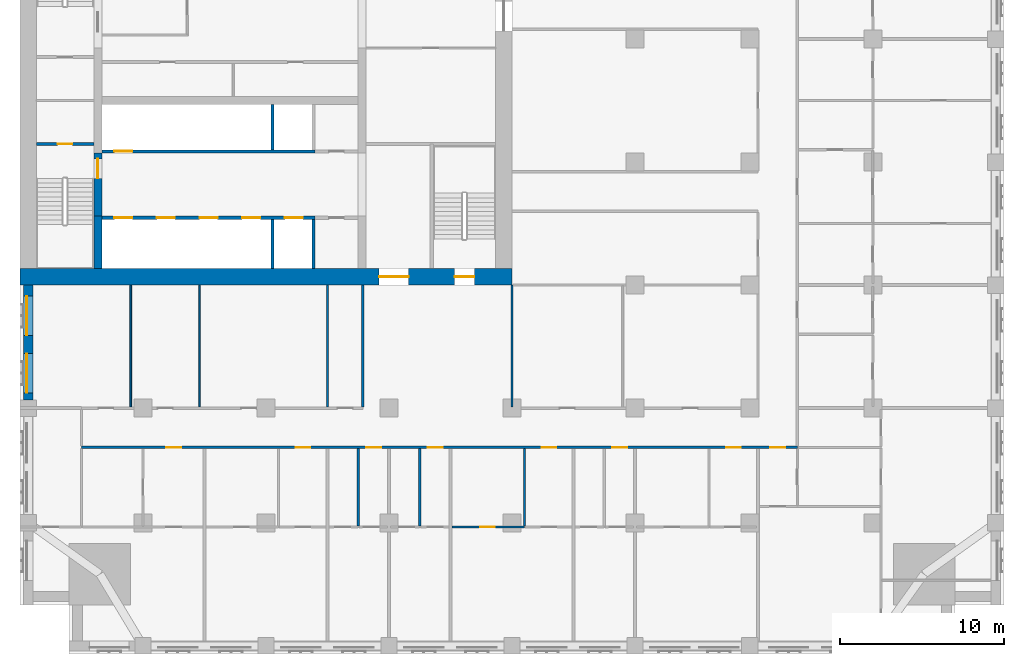
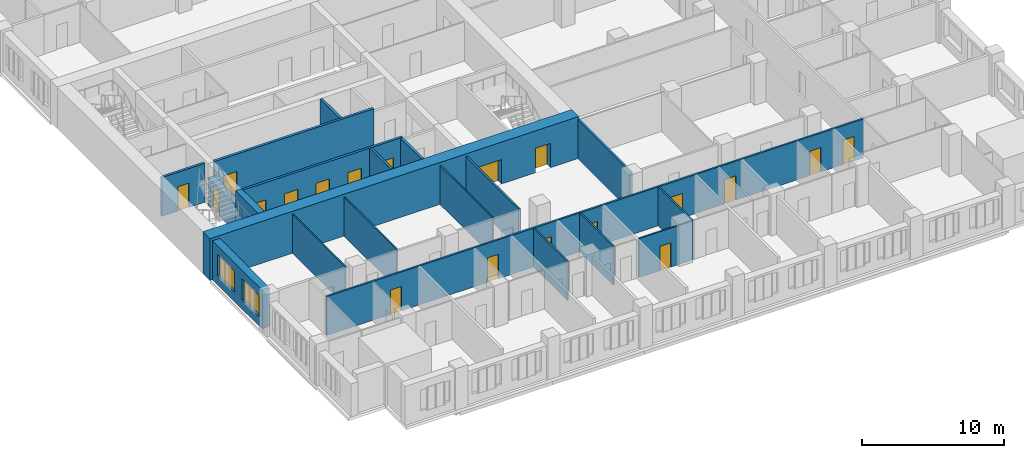
# One storey, part 5 of 14: 20 walls, 19 doors, 2 windows, 21 openings.
"""IFC4 building model written with IfcOpenShell, lengths in metres."""

from ifc_helpers import new_model, si_unit, direction, frame, frame_2d, origin, place, context, subcontext, project, spatial, rectangle, extrude, material, layer, layer_set, type_object, element, fill, save


model = new_model("IFC4")

# Units and contexts
model_context = context("Model", 3, precision=1e-05, world=origin(), true_north=direction((0.0, 1.0)))
body_context = subcontext(model_context, "Body", "Model", "MODEL_VIEW")
ifc_project = project(units=[si_unit("LENGTHUNIT", "METRE"), si_unit("AREAUNIT", "SQUARE_METRE"), si_unit("VOLUMEUNIT", "CUBIC_METRE"), si_unit("PLANEANGLEUNIT", "RADIAN"), si_unit("MASSUNIT", "GRAM", prefix="KILO")], contexts=[model_context])

# Site, building, storey
site_placement = place(None, origin())
site = spatial("IfcSite", under=ifc_project, at=site_placement, CompositionType="ELEMENT")
building_placement = place(site_placement, origin())
building = spatial("IfcBuilding", under=site, at=building_placement, Name="Tamorin Gate", CompositionType="ELEMENT")
storey_placement = place(building_placement, frame((0.0, 0.0, 89.89990234375)))
storey = spatial("IfcBuildingStorey", under=building, at=storey_placement, Name="L21", CompositionType="ELEMENT", Elevation=89.89990234375)

# Wall, openings, windows
ifc_material_1 = material(Name="Precast concrete C40/50", Category="concrete")
ifc_layer_1 = layer(ifc_material_1, 0.60009765625)
ifc_layer_set_1 = layer_set([ifc_layer_1], Name="Precast concrete C40/50")
wall_type_1 = type_object("IfcWallType", Name="Board-marked concrete facade panel 600", PredefinedType="SOLIDWALL", material=ifc_layer_set_1)
wall_1_placement = place(storey_placement, frame((30.5, 60.0, 0.0), z_axis=(0.0, 0.0, 1.0), x_axis=(0.0, -1.0, 0.0)))
wall_1 = element("IfcWall", 1, at=wall_1_placement, inside=storey, type_object=wall_type_1, Name="Facade panel", PredefinedType="SOLIDWALL", context=body_context, shape_type="SweptSolid", body=[
    extrude(rectangle(XDim=7.0, YDim=0.60009765625, at=frame_2d((3.5, 0.0))), origin(), (0.0, 0.0, 1.0), 3.35009765625),
])
opening_1_placement = place(wall_1_placement, frame((4.175048828125, 0.0, 0.800048828125)))
opening_1 = element("IfcOpeningElement", 2, at=opening_1_placement, cuts=wall_1, Name="Opening WN1", PredefinedType="OPENING", context=body_context, shape_type="SweptSolid", body=[
    extrude(rectangle(XDim=2.39990234375, YDim=1.800048828125, at=frame_2d((1.199951171875, 0.89990234375))), frame((0.0, 0.31005859375, 0.0), z_axis=(0.0, -1.0, 0.0), x_axis=(1.0, 0.0, 0.0)), (0.0, 0.0, 1.0), 0.6201171875),
])
opening_2_placement = place(wall_1_placement, frame((0.675048828125, 0.0, 0.800048828125)))
opening_2 = element("IfcOpeningElement", 3, at=opening_2_placement, cuts=wall_1, Name="Opening WN1", PredefinedType="OPENING", context=body_context, shape_type="SweptSolid", body=[
    extrude(rectangle(XDim=2.39990234375, YDim=1.800048828125, at=frame_2d((1.199951171875, 0.89990234375))), frame((0.0, 0.31005859375, 0.0), z_axis=(0.0, -1.0, 0.0), x_axis=(1.0, 0.0, 0.0)), (0.0, 0.0, 1.0), 0.6201171875),
])
ifc_material_2 = material(Name="Clear glass in aluminium frame", Category="aluminium")
window_type = type_object("IfcWindowType", Name="Deep-set window 2400x1800", PartitioningType="SINGLE_PANEL", PredefinedType="WINDOW", material=ifc_material_2)
window_1_placement = place(opening_1_placement, origin())
window_1 = element("IfcWindow", 4, at=window_1_placement, inside=storey, type_object=window_type, Name="Deep-set window", OverallHeight=1.800048828125, OverallWidth=2.39990234375, PartitioningType="SINGLE_PANEL", PredefinedType="WINDOW", context=body_context, shape_type="SweptSolid", body=[
    extrude(rectangle(XDim=2.39990234375, YDim=1.800048828125, at=frame_2d((1.199951171875, 0.89990234375))), frame((0.0, -0.070068359375, 0.0), z_axis=(0.0, -1.0, 0.0), x_axis=(1.0, 0.0, 0.0)), (0.0, 0.0, 1.0), 0.06005859375),
])
fill(opening_1, window_1)
window_2_placement = place(opening_2_placement, origin())
window_2 = element("IfcWindow", 5, at=window_2_placement, inside=storey, type_object=window_type, Name="Deep-set window", OverallHeight=1.800048828125, OverallWidth=2.39990234375, PartitioningType="SINGLE_PANEL", PredefinedType="WINDOW", context=body_context, shape_type="SweptSolid", body=[
    extrude(rectangle(XDim=2.39990234375, YDim=1.800048828125, at=frame_2d((1.199951171875, 0.89990234375))), frame((0.0, -0.070068359375, 0.0), z_axis=(0.0, -1.0, 0.0), x_axis=(1.0, 0.0, 0.0)), (0.0, 0.0, 1.0), 0.06005859375),
])
fill(opening_2, window_2)

# Wall, openings, doors
ifc_material_3 = material(Name="Gypsum board partition")
ifc_layer_2 = layer(ifc_material_3, 0.14990234375)
ifc_layer_set_2 = layer_set([ifc_layer_2], Name="Corridor wall 150")
wall_type_2 = type_object("IfcWallType", Name="Corridor wall 150", PredefinedType="PARTITIONING", material=ifc_layer_set_2)
wall_2_placement = place(storey_placement, frame((33.75, 50.10009765625, 0.0), z_axis=(0.0, 0.0, 1.0), x_axis=(1.0, 0.0, 0.0)))
wall_2 = element("IfcWall", 6, at=wall_2_placement, inside=storey, type_object=wall_type_2, Name="Corridor wall 150", PredefinedType="PARTITIONING", context=body_context, shape_type="SweptSolid", body=[
    extrude(rectangle(XDim=43.64990234375, YDim=0.14990234375, at=frame_2d((21.824951171875, 0.0))), origin(), (0.0, 0.0, 1.0), 3.35009765625),
])
opening_3_placement = place(wall_2_placement, frame((5.175048828125, 0.0, 0.0)))
opening_3 = element("IfcOpeningElement", 7, at=opening_3_placement, cuts=wall_2, Name="Opening DH8003", PredefinedType="OPENING", context=body_context, shape_type="SweptSolid", body=[
    extrude(rectangle(XDim=0.89990234375, YDim=2.10009765625, at=frame_2d((0.449951171875, 1.050048828125))), frame((0.0, 0.0849609375, 0.0), z_axis=(0.0, -1.0, 0.0), x_axis=(1.0, 0.0, 0.0)), (0.0, 0.0, 1.0), 0.169921875),
])
opening_4_placement = place(wall_2_placement, frame((13.050048828125, 0.0, 0.0)))
opening_4 = element("IfcOpeningElement", 8, at=opening_4_placement, cuts=wall_2, Name="Opening DH8006", PredefinedType="OPENING", context=body_context, shape_type="SweptSolid", body=[
    extrude(rectangle(XDim=0.89990234375, YDim=2.10009765625, at=frame_2d((0.449951171875, 1.050048828125))), frame((0.0, 0.0849609375, 0.0), z_axis=(0.0, -1.0, 0.0), x_axis=(1.0, 0.0, 0.0)), (0.0, 0.0, 1.0), 0.169921875),
])
opening_5_placement = place(wall_2_placement, frame((17.362548828125, 0.0, 0.0)))
opening_5 = element("IfcOpeningElement", 9, at=opening_5_placement, cuts=wall_2, Name="Opening DH8009", PredefinedType="OPENING", context=body_context, shape_type="SweptSolid", body=[
    extrude(rectangle(XDim=0.89990234375, YDim=2.10009765625, at=frame_2d((0.449951171875, 1.050048828125))), frame((0.0, 0.0849609375, 0.0), z_axis=(0.0, -1.0, 0.0), x_axis=(1.0, 0.0, 0.0)), (0.0, 0.0, 1.0), 0.169921875),
])
opening_6_placement = place(wall_2_placement, frame((21.112548828125, 0.0, 0.0)))
opening_6 = element("IfcOpeningElement", 10, at=opening_6_placement, cuts=wall_2, Name="Opening DH8012", PredefinedType="OPENING", context=body_context, shape_type="SweptSolid", body=[
    extrude(rectangle(XDim=0.89990234375, YDim=2.10009765625, at=frame_2d((0.449951171875, 1.050048828125))), frame((0.0, 0.0849609375, 0.0), z_axis=(0.0, -1.0, 0.0), x_axis=(1.0, 0.0, 0.0)), (0.0, 0.0, 1.0), 0.169921875),
])
opening_7_placement = place(wall_2_placement, frame((28.050048828125, 0.0, 0.0)))
opening_7 = element("IfcOpeningElement", 11, at=opening_7_placement, cuts=wall_2, Name="Opening DH8015", PredefinedType="OPENING", context=body_context, shape_type="SweptSolid", body=[
    extrude(rectangle(XDim=0.89990234375, YDim=2.10009765625, at=frame_2d((0.449951171875, 1.050048828125))), frame((0.0, 0.0849609375, 0.0), z_axis=(0.0, -1.0, 0.0), x_axis=(1.0, 0.0, 0.0)), (0.0, 0.0, 1.0), 0.169921875),
])
opening_8_placement = place(wall_2_placement, frame((32.362548828125, 0.0, 0.0)))
opening_8 = element("IfcOpeningElement", 12, at=opening_8_placement, cuts=wall_2, Name="Opening DH8018", PredefinedType="OPENING", context=body_context, shape_type="SweptSolid", body=[
    extrude(rectangle(XDim=0.89990234375, YDim=2.10009765625, at=frame_2d((0.449951171875, 1.050048828125))), frame((0.0, 0.0849609375, 0.0), z_axis=(0.0, -1.0, 0.0), x_axis=(1.0, 0.0, 0.0)), (0.0, 0.0, 1.0), 0.169921875),
])
opening_9_placement = place(wall_2_placement, frame((39.300048828125, 0.0, 0.0)))
opening_9 = element("IfcOpeningElement", 13, at=opening_9_placement, cuts=wall_2, Name="Opening DH8021", PredefinedType="OPENING", context=body_context, shape_type="SweptSolid", body=[
    extrude(rectangle(XDim=0.89990234375, YDim=2.10009765625, at=frame_2d((0.449951171875, 1.050048828125))), frame((0.0, 0.0849609375, 0.0), z_axis=(0.0, -1.0, 0.0), x_axis=(1.0, 0.0, 0.0)), (0.0, 0.0, 1.0), 0.169921875),
])
opening_10_placement = place(wall_2_placement, frame((42.0, 0.0, 0.0)))
opening_10 = element("IfcOpeningElement", 14, at=opening_10_placement, cuts=wall_2, Name="Opening DH8060", PredefinedType="OPENING", context=body_context, shape_type="SweptSolid", body=[
    extrude(rectangle(XDim=0.89990234375, YDim=2.10009765625, at=frame_2d((0.449951171875, 1.050048828125))), frame((0.0, 0.0849609375, 0.0), z_axis=(0.0, -1.0, 0.0), x_axis=(1.0, 0.0, 0.0)), (0.0, 0.0, 1.0), 0.169921875),
])
ifc_material_4 = material(Name="Timber door leaf", Category="wood")
door_type_1 = type_object("IfcDoorType", Name="Door 900 x 2100 FD30S", OperationType="NOTDEFINED", PredefinedType="DOOR", material=ifc_material_4)
door_1_placement = place(opening_3_placement, origin())
door_1 = element("IfcDoor", 15, at=door_1_placement, inside=storey, type_object=door_type_1, Name="Door DH8003", OperationType="SINGLE_SWING_RIGHT", OverallHeight=2.10009765625, OverallWidth=0.89990234375, PredefinedType="DOOR", context=body_context, shape_type="SweptSolid", body=[
    extrude(rectangle(XDim=0.89990234375, YDim=2.10009765625, at=frame_2d((0.449951171875, 1.050048828125))), frame((0.0, 0.02490234375, 0.0), z_axis=(0.0, -1.0, 0.0), x_axis=(1.0, 0.0, 0.0)), (0.0, 0.0, 1.0), 0.050048828125),
])
fill(opening_3, door_1)
door_2_placement = place(opening_4_placement, origin())
door_2 = element("IfcDoor", 16, at=door_2_placement, inside=storey, type_object=door_type_1, Name="Door DH8006", OperationType="SINGLE_SWING_RIGHT", OverallHeight=2.10009765625, OverallWidth=0.89990234375, PredefinedType="DOOR", context=body_context, shape_type="SweptSolid", body=[
    extrude(rectangle(XDim=0.89990234375, YDim=2.10009765625, at=frame_2d((0.449951171875, 1.050048828125))), frame((0.0, 0.02490234375, 0.0), z_axis=(0.0, -1.0, 0.0), x_axis=(1.0, 0.0, 0.0)), (0.0, 0.0, 1.0), 0.050048828125),
])
fill(opening_4, door_2)
door_3_placement = place(opening_5_placement, origin())
door_3 = element("IfcDoor", 17, at=door_3_placement, inside=storey, type_object=door_type_1, Name="Door DH8009", OperationType="SINGLE_SWING_RIGHT", OverallHeight=2.10009765625, OverallWidth=0.89990234375, PredefinedType="DOOR", context=body_context, shape_type="SweptSolid", body=[
    extrude(rectangle(XDim=0.89990234375, YDim=2.10009765625, at=frame_2d((0.449951171875, 1.050048828125))), frame((0.0, 0.02490234375, 0.0), z_axis=(0.0, -1.0, 0.0), x_axis=(1.0, 0.0, 0.0)), (0.0, 0.0, 1.0), 0.050048828125),
])
fill(opening_5, door_3)
door_4_placement = place(opening_6_placement, origin())
door_4 = element("IfcDoor", 18, at=door_4_placement, inside=storey, type_object=door_type_1, Name="Door DH8012", OperationType="SINGLE_SWING_RIGHT", OverallHeight=2.10009765625, OverallWidth=0.89990234375, PredefinedType="DOOR", context=body_context, shape_type="SweptSolid", body=[
    extrude(rectangle(XDim=0.89990234375, YDim=2.10009765625, at=frame_2d((0.449951171875, 1.050048828125))), frame((0.0, 0.02490234375, 0.0), z_axis=(0.0, -1.0, 0.0), x_axis=(1.0, 0.0, 0.0)), (0.0, 0.0, 1.0), 0.050048828125),
])
fill(opening_6, door_4)
door_5_placement = place(opening_7_placement, origin())
door_5 = element("IfcDoor", 19, at=door_5_placement, inside=storey, type_object=door_type_1, Name="Door DH8015", OperationType="SINGLE_SWING_RIGHT", OverallHeight=2.10009765625, OverallWidth=0.89990234375, PredefinedType="DOOR", context=body_context, shape_type="SweptSolid", body=[
    extrude(rectangle(XDim=0.89990234375, YDim=2.10009765625, at=frame_2d((0.449951171875, 1.050048828125))), frame((0.0, 0.02490234375, 0.0), z_axis=(0.0, -1.0, 0.0), x_axis=(1.0, 0.0, 0.0)), (0.0, 0.0, 1.0), 0.050048828125),
])
fill(opening_7, door_5)
door_6_placement = place(opening_8_placement, origin())
door_6 = element("IfcDoor", 20, at=door_6_placement, inside=storey, type_object=door_type_1, Name="Door DH8018", OperationType="SINGLE_SWING_RIGHT", OverallHeight=2.10009765625, OverallWidth=0.89990234375, PredefinedType="DOOR", context=body_context, shape_type="SweptSolid", body=[
    extrude(rectangle(XDim=0.89990234375, YDim=2.10009765625, at=frame_2d((0.449951171875, 1.050048828125))), frame((0.0, 0.02490234375, 0.0), z_axis=(0.0, -1.0, 0.0), x_axis=(1.0, 0.0, 0.0)), (0.0, 0.0, 1.0), 0.050048828125),
])
fill(opening_8, door_6)
door_7_placement = place(opening_9_placement, origin())
door_7 = element("IfcDoor", 21, at=door_7_placement, inside=storey, type_object=door_type_1, Name="Door DH8021", OperationType="SINGLE_SWING_RIGHT", OverallHeight=2.10009765625, OverallWidth=0.89990234375, PredefinedType="DOOR", context=body_context, shape_type="SweptSolid", body=[
    extrude(rectangle(XDim=0.89990234375, YDim=2.10009765625, at=frame_2d((0.449951171875, 1.050048828125))), frame((0.0, 0.02490234375, 0.0), z_axis=(0.0, -1.0, 0.0), x_axis=(1.0, 0.0, 0.0)), (0.0, 0.0, 1.0), 0.050048828125),
])
fill(opening_9, door_7)
door_8_placement = place(opening_10_placement, origin())
door_8 = element("IfcDoor", 22, at=door_8_placement, inside=storey, type_object=door_type_1, Name="Door DH8060", OperationType="SINGLE_SWING_LEFT", OverallHeight=2.10009765625, OverallWidth=0.89990234375, PredefinedType="DOOR", context=body_context, shape_type="SweptSolid", body=[
    extrude(rectangle(XDim=0.89990234375, YDim=2.10009765625, at=frame_2d((0.449951171875, 1.050048828125))), frame((0.0, 0.02490234375, 0.0), z_axis=(0.0, -1.0, 0.0), x_axis=(1.0, 0.0, 0.0)), (0.0, 0.0, 1.0), 0.050048828125),
])
fill(opening_10, door_8)

ifc_material_5 = material(Name="Concrete C32/40", Category="concrete")
ifc_layer_3 = layer(ifc_material_5, 0.199951171875)
ifc_layer_set_3 = layer_set([ifc_layer_3], Name="Lift lobby face wall 200 EI 120")
wall_type_3 = type_object("IfcWallType", Name="Lift lobby face wall 200 EI 120", PredefinedType="SOLIDWALL", material=ifc_layer_set_3)
wall_3_placement = place(storey_placement, frame((35.0, 64.10009765625, 0.0), z_axis=(0.0, 0.0, 1.0), x_axis=(1.0, 0.0, 0.0)))
wall_3 = element("IfcWall", 23, at=wall_3_placement, inside=storey, type_object=wall_type_3, Name="Lift lobby face wall", PredefinedType="SOLIDWALL", context=body_context, shape_type="SweptSolid", body=[
    extrude(rectangle(XDim=13.0, YDim=0.199951171875, at=frame_2d((6.5, 0.0))), origin(), (0.0, 0.0, 1.0), 3.60009765625),
])
opening_11_placement = place(wall_3_placement, frame((0.75, 0.0, 0.0)))
opening_11 = element("IfcOpeningElement", 24, at=opening_11_placement, cuts=wall_3, Name="Opening LD1", PredefinedType="OPENING", context=body_context, shape_type="SweptSolid", body=[
    extrude(rectangle(XDim=1.10009765625, YDim=2.10009765625, at=frame_2d((0.550048828125, 1.050048828125))), frame((0.0, 0.10986328125, 0.0), z_axis=(0.0, -1.0, 0.0), x_axis=(1.0, 0.0, 0.0)), (0.0, 0.0, 1.0), 0.219970703125),
])
opening_12_placement = place(wall_3_placement, frame((3.35009765625, 0.0, 0.0)))
opening_12 = element("IfcOpeningElement", 25, at=opening_12_placement, cuts=wall_3, Name="Opening LD2", PredefinedType="OPENING", context=body_context, shape_type="SweptSolid", body=[
    extrude(rectangle(XDim=1.10009765625, YDim=2.10009765625, at=frame_2d((0.550048828125, 1.050048828125))), frame((0.0, 0.10986328125, 0.0), z_axis=(0.0, -1.0, 0.0), x_axis=(1.0, 0.0, 0.0)), (0.0, 0.0, 1.0), 0.219970703125),
])
opening_13_placement = place(wall_3_placement, frame((5.949951171875, 0.0, 0.0)))
opening_13 = element("IfcOpeningElement", 26, at=opening_13_placement, cuts=wall_3, Name="Opening LD3", PredefinedType="OPENING", context=body_context, shape_type="SweptSolid", body=[
    extrude(rectangle(XDim=1.10009765625, YDim=2.10009765625, at=frame_2d((0.550048828125, 1.050048828125))), frame((0.0, 0.10986328125, 0.0), z_axis=(0.0, -1.0, 0.0), x_axis=(1.0, 0.0, 0.0)), (0.0, 0.0, 1.0), 0.219970703125),
])
opening_14_placement = place(wall_3_placement, frame((8.550048828125, 0.0, 0.0)))
opening_14 = element("IfcOpeningElement", 27, at=opening_14_placement, cuts=wall_3, Name="Opening LD4", PredefinedType="OPENING", context=body_context, shape_type="SweptSolid", body=[
    extrude(rectangle(XDim=1.10009765625, YDim=2.10009765625, at=frame_2d((0.550048828125, 1.050048828125))), frame((0.0, 0.10986328125, 0.0), z_axis=(0.0, -1.0, 0.0), x_axis=(1.0, 0.0, 0.0)), (0.0, 0.0, 1.0), 0.219970703125),
])
opening_15_placement = place(wall_3_placement, frame((11.14990234375, 0.0, 0.0)))
opening_15 = element("IfcOpeningElement", 28, at=opening_15_placement, cuts=wall_3, Name="Opening LD5", PredefinedType="OPENING", context=body_context, shape_type="SweptSolid", body=[
    extrude(rectangle(XDim=1.10009765625, YDim=2.10009765625, at=frame_2d((0.550048828125, 1.050048828125))), frame((0.0, 0.10986328125, 0.0), z_axis=(0.0, -1.0, 0.0), x_axis=(1.0, 0.0, 0.0)), (0.0, 0.0, 1.0), 0.219970703125),
])
ifc_material_6 = material(Name="Stainless steel sliding door", Category="steel")
door_type_2 = type_object("IfcDoorType", Name="Lift landing door 1100 x 2100 E 90", OperationType="DOUBLE_DOOR_SLIDING", PredefinedType="DOOR", material=ifc_material_6)
door_9_placement = place(opening_11_placement, origin())
door_9 = element("IfcDoor", 29, at=door_9_placement, inside=storey, type_object=door_type_2, Name="LR1 landing door", OperationType="DOUBLE_DOOR_SLIDING", OverallHeight=2.10009765625, OverallWidth=1.10009765625, PredefinedType="DOOR", context=body_context, shape_type="SweptSolid", body=[
    extrude(rectangle(XDim=1.10009765625, YDim=2.10009765625, at=frame_2d((0.550048828125, 1.050048828125))), frame((0.0, 0.02490234375, 0.0), z_axis=(0.0, -1.0, 0.0), x_axis=(1.0, 0.0, 0.0)), (0.0, 0.0, 1.0), 0.050048828125),
])
fill(opening_11, door_9)
door_10_placement = place(opening_12_placement, origin())
door_10 = element("IfcDoor", 30, at=door_10_placement, inside=storey, type_object=door_type_2, Name="LR2 landing door", OperationType="DOUBLE_DOOR_SLIDING", OverallHeight=2.10009765625, OverallWidth=1.10009765625, PredefinedType="DOOR", context=body_context, shape_type="SweptSolid", body=[
    extrude(rectangle(XDim=1.10009765625, YDim=2.10009765625, at=frame_2d((0.550048828125, 1.050048828125))), frame((0.0, 0.02490234375, 0.0), z_axis=(0.0, -1.0, 0.0), x_axis=(1.0, 0.0, 0.0)), (0.0, 0.0, 1.0), 0.050048828125),
])
fill(opening_12, door_10)
door_11_placement = place(opening_13_placement, origin())
door_11 = element("IfcDoor", 31, at=door_11_placement, inside=storey, type_object=door_type_2, Name="LR3 landing door", OperationType="DOUBLE_DOOR_SLIDING", OverallHeight=2.10009765625, OverallWidth=1.10009765625, PredefinedType="DOOR", context=body_context, shape_type="SweptSolid", body=[
    extrude(rectangle(XDim=1.10009765625, YDim=2.10009765625, at=frame_2d((0.550048828125, 1.050048828125))), frame((0.0, 0.02490234375, 0.0), z_axis=(0.0, -1.0, 0.0), x_axis=(1.0, 0.0, 0.0)), (0.0, 0.0, 1.0), 0.050048828125),
])
fill(opening_13, door_11)
door_12_placement = place(opening_14_placement, origin())
door_12 = element("IfcDoor", 32, at=door_12_placement, inside=storey, type_object=door_type_2, Name="LR4 landing door", OperationType="DOUBLE_DOOR_SLIDING", OverallHeight=2.10009765625, OverallWidth=1.10009765625, PredefinedType="DOOR", context=body_context, shape_type="SweptSolid", body=[
    extrude(rectangle(XDim=1.10009765625, YDim=2.10009765625, at=frame_2d((0.550048828125, 1.050048828125))), frame((0.0, 0.02490234375, 0.0), z_axis=(0.0, -1.0, 0.0), x_axis=(1.0, 0.0, 0.0)), (0.0, 0.0, 1.0), 0.050048828125),
])
fill(opening_14, door_12)
door_13_placement = place(opening_15_placement, origin())
door_13 = element("IfcDoor", 33, at=door_13_placement, inside=storey, type_object=door_type_2, Name="LR5 landing door", OperationType="DOUBLE_DOOR_SLIDING", OverallHeight=2.10009765625, OverallWidth=1.10009765625, PredefinedType="DOOR", context=body_context, shape_type="SweptSolid", body=[
    extrude(rectangle(XDim=1.10009765625, YDim=2.10009765625, at=frame_2d((0.550048828125, 1.050048828125))), frame((0.0, 0.02490234375, 0.0), z_axis=(0.0, -1.0, 0.0), x_axis=(1.0, 0.0, 0.0)), (0.0, 0.0, 1.0), 0.050048828125),
])
fill(opening_15, door_13)

# Wall, opening, door
wall_4_placement = place(storey_placement, frame((35.0, 68.14990234375, 0.0), z_axis=(0.0, 0.0, 1.0), x_axis=(1.0, 0.0, 0.0)))
wall_4 = element("IfcWall", 34, at=wall_4_placement, inside=storey, type_object=wall_type_3, Name="Lift lobby face wall", PredefinedType="SOLIDWALL", context=body_context, shape_type="SweptSolid", body=[
    extrude(rectangle(XDim=13.0, YDim=0.199951171875, at=frame_2d((6.5, 0.0))), origin(), (0.0, 0.0, 1.0), 3.60009765625),
])
opening_16_placement = place(wall_4_placement, frame((0.75, 0.0, 0.0)))
opening_16 = element("IfcOpeningElement", 35, at=opening_16_placement, cuts=wall_4, Name="Opening LD6", PredefinedType="OPENING", context=body_context, shape_type="SweptSolid", body=[
    extrude(rectangle(XDim=1.10009765625, YDim=2.10009765625, at=frame_2d((0.550048828125, 1.050048828125))), frame((0.0, 0.10986328125, 0.0), z_axis=(0.0, -1.0, 0.0), x_axis=(1.0, 0.0, 0.0)), (0.0, 0.0, 1.0), 0.219970703125),
])
door_14_placement = place(opening_16_placement, origin())
door_14 = element("IfcDoor", 36, at=door_14_placement, inside=storey, type_object=door_type_2, Name="LR6 landing door", OperationType="DOUBLE_DOOR_SLIDING", OverallHeight=2.10009765625, OverallWidth=1.10009765625, PredefinedType="DOOR", context=body_context, shape_type="SweptSolid", body=[
    extrude(rectangle(XDim=1.10009765625, YDim=2.10009765625, at=frame_2d((0.550048828125, 1.050048828125))), frame((0.0, 0.02490234375, 0.0), z_axis=(0.0, -1.0, 0.0), x_axis=(1.0, 0.0, 0.0)), (0.0, 0.0, 1.0), 0.050048828125),
])
fill(opening_16, door_14)

# Walls
ifc_layer_4 = layer(ifc_material_5, 0.199951171875)
ifc_layer_set_4 = layer_set([ifc_layer_4], Name="Lift shaft wall 200 EI 120")
wall_type_4 = type_object("IfcWallType", Name="Lift shaft wall 200 EI 120", PredefinedType="SOLIDWALL", material=ifc_layer_set_4)
for number, where, z_axis, x_axis, name in (
    (37, (45.39990234375, 61.0, 0.0), (0.0, 0.0, 1.0), (0.0, 1.0, 0.0), "Lift shaft wall"),
    (38, (47.89990234375, 61.0, 0.0), (0.0, 0.0, 1.0), (0.0, 1.0, 0.0), "Lift shaft wall"),
):
    element("IfcWall", number, at=place(storey_placement, frame(where, z_axis=z_axis, x_axis=x_axis)), inside=storey, type_object=wall_type_4, Name=name, PredefinedType="SOLIDWALL", context=body_context, shape_type="SweptSolid", body=[
        extrude(rectangle(XDim=3.0, YDim=0.199951171875, at=frame_2d((1.5, 0.0))), origin(), (0.0, 0.0, 1.0), 3.60009765625),
    ])
wall_5_placement = place(storey_placement, frame((45.39990234375, 68.25, 0.0), z_axis=(0.0, 0.0, 1.0), x_axis=(0.0, 1.0, 0.0)))
element("IfcWall", 39, at=wall_5_placement, inside=storey, type_object=wall_type_4, Name="Lift shaft wall", PredefinedType="SOLIDWALL", context=body_context, shape_type="SweptSolid", body=[
    extrude(rectangle(XDim=2.75, YDim=0.199951171875, at=frame_2d((1.375, 0.0))), origin(), (0.0, 0.0, 1.0), 3.60009765625),
])
ifc_layer_5 = layer(ifc_material_3, 0.14990234375)
ifc_layer_set_5 = layer_set([ifc_layer_5], Name="Lobby wall 150")
wall_type_5 = type_object("IfcWallType", Name="Lobby wall 150", PredefinedType="PARTITIONING", material=ifc_layer_set_5)
for number, where, z_axis, x_axis, name in (
    (40, (50.89990234375, 52.574951171875, 0.0), (0.0, 0.0, 1.0), (0.0, 1.0, 0.0), "Lobby wall 150"),
    (41, (60.0, 52.574951171875, 0.0), (0.0, 0.0, 1.0), (0.0, 1.0, 0.0), "Lobby wall 150"),
):
    element("IfcWall", number, at=place(storey_placement, frame(where, z_axis=z_axis, x_axis=x_axis)), inside=storey, type_object=wall_type_5, Name=name, PredefinedType="PARTITIONING", context=body_context, shape_type="SweptSolid", body=[
        extrude(rectangle(XDim=7.425048828125, YDim=0.14990234375, at=frame_2d((3.71240234375, 0.0))), origin(), (0.0, 0.0, 1.0), 3.35009765625),
    ])
ifc_material_7 = material(Name="Concrete C80/95", Category="concrete")
ifc_layer_6 = layer(ifc_material_7, 0.5)
ifc_layer_set_6 = layer_set([ifc_layer_6], Name="RC core internal wall 500 C80/95")
wall_type_6 = type_object("IfcWallType", Name="RC core internal wall 500 C80/95", PredefinedType="SHEAR", material=ifc_layer_set_6)
wall_6_placement = place(storey_placement, frame((34.75, 61.0, 0.0), z_axis=(0.0, 0.0, 1.0), x_axis=(0.0, 1.0, 0.0)))
element("IfcWall", 42, at=wall_6_placement, inside=storey, type_object=wall_type_6, Name="Core cross wall L21", PredefinedType="SHEAR", context=body_context, shape_type="SweptSolid", body=[
    extrude(rectangle(XDim=3.199951171875, YDim=0.5, at=frame_2d((1.60009765625, 0.0))), origin(), (0.0, 0.0, 1.0), 3.60009765625),
])

# Wall, openings, doors
ifc_layer_7 = layer(ifc_material_7, 1.0)
ifc_layer_set_7 = layer_set([ifc_layer_7], Name="RC core wall 1000 C80/95")
wall_type_7 = type_object("IfcWallType", Name="RC core wall 1000 C80/95", PredefinedType="SHEAR", material=ifc_layer_set_7)
wall_7_placement = place(storey_placement, frame((30.0, 60.5, 0.0), z_axis=(0.0, 0.0, 1.0), x_axis=(1.0, 0.0, 0.0)))
wall_7 = element("IfcWall", 43, at=wall_7_placement, inside=storey, type_object=wall_type_7, Name="Core wall L21", PredefinedType="SHEAR", context=body_context, shape_type="SweptSolid", body=[
    extrude(rectangle(XDim=30.0, YDim=1.0, at=frame_2d((15.0, 0.0))), origin(), (0.0, 0.0, 1.0), 3.60009765625),
])
opening_17_placement = place(wall_7_placement, frame((21.89990234375, 0.0, 0.0)))
opening_17 = element("IfcOpeningElement", 44, at=opening_17_placement, cuts=wall_7, Name="Opening DE1", PredefinedType="OPENING", context=body_context, shape_type="SweptSolid", body=[
    extrude(rectangle(XDim=1.800048828125, YDim=2.10009765625, at=frame_2d((0.89990234375, 1.050048828125))), frame((0.0, 0.510009765625, 0.0), z_axis=(0.0, -1.0, 0.0), x_axis=(1.0, 0.0, 0.0)), (0.0, 0.0, 1.0), 1.02001953125),
])
opening_18_placement = place(wall_7_placement, frame((26.5, 0.0, 0.0)))
opening_18 = element("IfcOpeningElement", 45, at=opening_18_placement, cuts=wall_7, Name="Opening DS1", PredefinedType="OPENING", context=body_context, shape_type="SweptSolid", body=[
    extrude(rectangle(XDim=1.199951171875, YDim=2.10009765625, at=frame_2d((0.60009765625, 1.050048828125))), frame((0.0, 0.510009765625, 0.0), z_axis=(0.0, -1.0, 0.0), x_axis=(1.0, 0.0, 0.0)), (0.0, 0.0, 1.0), 1.02001953125),
])
ifc_material_8 = material(Name="Steel fire door", Category="steel")
door_type_3 = type_object("IfcDoorType", Name="Lobby exit double door 1800 x 2100 EI 60", OperationType="DOUBLE_DOOR_SINGLE_SWING", PredefinedType="DOOR", material=ifc_material_8)
door_15_placement = place(opening_17_placement, origin())
door_15 = element("IfcDoor", 46, at=door_15_placement, inside=storey, type_object=door_type_3, Name="Lift lobby A exit door", OperationType="DOUBLE_DOOR_SINGLE_SWING", OverallHeight=2.10009765625, OverallWidth=1.800048828125, PredefinedType="DOOR", context=body_context, shape_type="SweptSolid", body=[
    extrude(rectangle(XDim=1.800048828125, YDim=2.10009765625, at=frame_2d((0.89990234375, 1.050048828125))), frame((0.0, 0.02490234375, 0.0), z_axis=(0.0, -1.0, 0.0), x_axis=(1.0, 0.0, 0.0)), (0.0, 0.0, 1.0), 0.050048828125),
])
fill(opening_17, door_15)
door_type_4 = type_object("IfcDoorType", Name="Stair door 1200 x 2100 EI 90", OperationType="SINGLE_SWING_LEFT", PredefinedType="DOOR", material=ifc_material_8)
door_16_placement = place(opening_18_placement, origin())
door_16 = element("IfcDoor", 47, at=door_16_placement, inside=storey, type_object=door_type_4, Name="ST3 door", OperationType="SINGLE_SWING_LEFT", OverallHeight=2.10009765625, OverallWidth=1.199951171875, PredefinedType="DOOR", context=body_context, shape_type="SweptSolid", body=[
    extrude(rectangle(XDim=1.199951171875, YDim=2.10009765625, at=frame_2d((0.60009765625, 1.050048828125))), frame((0.0, 0.02490234375, 0.0), z_axis=(0.0, -1.0, 0.0), x_axis=(1.0, 0.0, 0.0)), (0.0, 0.0, 1.0), 0.050048828125),
])
fill(opening_18, door_16)

# Walls
ifc_layer_8 = layer(ifc_material_3, 0.10009765625)
ifc_layer_set_8 = layer_set([ifc_layer_8], Name="Room partition 100")
wall_type_8 = type_object("IfcWallType", Name="Room partition 100", PredefinedType="PARTITIONING", material=ifc_layer_set_8)
for number, where, z_axis, x_axis, name in (
    (48, (36.75, 52.574951171875, 0.0), (0.0, 0.0, 1.0), (0.0, 1.0, 0.0), "Room partition 100"),
    (49, (40.949951171875, 52.574951171875, 0.0), (0.0, 0.0, 1.0), (0.0, 1.0, 0.0), "Room partition 100"),
    (50, (48.75, 52.574951171875, 0.0), (0.0, 0.0, 1.0), (0.0, 1.0, 0.0), "Room partition 100"),
):
    element("IfcWall", number, at=place(storey_placement, frame(where, z_axis=z_axis, x_axis=x_axis)), inside=storey, type_object=wall_type_8, Name=name, PredefinedType="PARTITIONING", context=body_context, shape_type="SweptSolid", body=[
        extrude(rectangle(XDim=7.425048828125, YDim=0.10009765625, at=frame_2d((3.71240234375, 0.0))), origin(), (0.0, 0.0, 1.0), 3.35009765625),
    ])

# Wall, opening, door
ifc_material_9 = material(Name="Concrete C40/50", Category="concrete")
ifc_layer_9 = layer(ifc_material_9, 0.199951171875)
ifc_layer_set_9 = layer_set([ifc_layer_9], Name="Stair enclosure wall 200 EI 120 C40/50")
wall_type_9 = type_object("IfcWallType", Name="Stair enclosure wall 200 EI 120 C40/50", PredefinedType="SOLIDWALL", material=ifc_layer_set_9)
wall_8_placement = place(storey_placement, frame((31.0, 68.60009765625, 0.0), z_axis=(0.0, 0.0, 1.0), x_axis=(1.0, 0.0, 0.0)))
wall_8 = element("IfcWall", 51, at=wall_8_placement, inside=storey, type_object=wall_type_9, Name="Stair enclosure wall", PredefinedType="SOLIDWALL", context=body_context, shape_type="SweptSolid", body=[
    extrude(rectangle(XDim=3.5, YDim=0.199951171875, at=frame_2d((1.75, 0.0))), origin(), (0.0, 0.0, 1.0), 3.35009765625),
])
opening_19_placement = place(wall_8_placement, frame((1.300048828125, 0.0, 0.0)))
opening_19 = element("IfcOpeningElement", 52, at=opening_19_placement, cuts=wall_8, Name="Opening DR1", PredefinedType="OPENING", context=body_context, shape_type="SweptSolid", body=[
    extrude(rectangle(XDim=0.89990234375, YDim=2.10009765625, at=frame_2d((0.449951171875, 1.050048828125))), frame((0.0, 0.10986328125, 0.0), z_axis=(0.0, -1.0, 0.0), x_axis=(1.0, 0.0, 0.0)), (0.0, 0.0, 1.0), 0.219970703125),
])
door_type_5 = type_object("IfcDoorType", Name="Riser access door 900 x 2100 EI 120", OperationType="SINGLE_SWING_LEFT", PredefinedType="DOOR", material=ifc_material_8)
door_17_placement = place(opening_19_placement, origin())
door_17 = element("IfcDoor", 53, at=door_17_placement, inside=storey, type_object=door_type_5, Name="Electrical riser door", OperationType="SINGLE_SWING_LEFT", OverallHeight=2.10009765625, OverallWidth=0.89990234375, PredefinedType="DOOR", context=body_context, shape_type="SweptSolid", body=[
    extrude(rectangle(XDim=0.89990234375, YDim=2.10009765625, at=frame_2d((0.449951171875, 1.050048828125))), frame((0.0, 0.02490234375, 0.0), z_axis=(0.0, -1.0, 0.0), x_axis=(1.0, 0.0, 0.0)), (0.0, 0.0, 1.0), 0.050048828125),
])
fill(opening_19, door_17)

ifc_layer_10 = layer(ifc_material_5, 0.5)
ifc_layer_set_10 = layer_set([ifc_layer_10], Name="Stair lobby infill wall 500 EI 120")
wall_type_10 = type_object("IfcWallType", Name="Stair lobby infill wall 500 EI 120", PredefinedType="SOLIDWALL", material=ifc_layer_set_10)
wall_9_placement = place(storey_placement, frame((34.75, 64.199951171875, 0.0), z_axis=(0.0, 0.0, 1.0), x_axis=(0.0, 1.0, 0.0)))
wall_9 = element("IfcWall", 54, at=wall_9_placement, inside=storey, type_object=wall_type_10, Name="Stair lobby infill wall", PredefinedType="SOLIDWALL", context=body_context, shape_type="SweptSolid", body=[
    extrude(rectangle(XDim=3.85009765625, YDim=0.5, at=frame_2d((1.925048828125, 0.0))), origin(), (0.0, 0.0, 1.0), 2.400146484375),
])
opening_20_placement = place(wall_9_placement, frame((2.300048828125, 0.0, 0.0)))
opening_20 = element("IfcOpeningElement", 55, at=opening_20_placement, cuts=wall_9, Name="Opening DS1", PredefinedType="OPENING", context=body_context, shape_type="SweptSolid", body=[
    extrude(rectangle(XDim=1.199951171875, YDim=2.10009765625, at=frame_2d((0.60009765625, 1.050048828125))), frame((0.0, 0.260009765625, 0.0), z_axis=(0.0, -1.0, 0.0), x_axis=(1.0, 0.0, 0.0)), (0.0, 0.0, 1.0), 0.52001953125),
])
door_18_placement = place(opening_20_placement, origin())
door_18 = element("IfcDoor", 56, at=door_18_placement, inside=storey, type_object=door_type_4, Name="ST1 door", OperationType="SINGLE_SWING_LEFT", OverallHeight=2.10009765625, OverallWidth=1.199951171875, PredefinedType="DOOR", context=body_context, shape_type="SweptSolid", body=[
    extrude(rectangle(XDim=1.199951171875, YDim=2.10009765625, at=frame_2d((0.60009765625, 1.050048828125))), frame((0.0, 0.02490234375, 0.0), z_axis=(0.0, -1.0, 0.0), x_axis=(1.0, 0.0, 0.0)), (0.0, 0.0, 1.0), 0.050048828125),
])
fill(opening_20, door_18)

ifc_layer_11 = layer(ifc_material_3, 0.125)
ifc_layer_set_11 = layer_set([ifc_layer_11], Name="Wet wall 125")
wall_type_11 = type_object("IfcWallType", Name="Wet wall 125", PredefinedType="PARTITIONING", material=ifc_layer_set_11)
wall_10_placement = place(storey_placement, frame((56.35009765625, 45.25, 0.0), z_axis=(0.0, 0.0, 1.0), x_axis=(1.0, 0.0, 0.0)))
wall_10 = element("IfcWall", 57, at=wall_10_placement, inside=storey, type_object=wall_type_11, Name="Wet wall 125", PredefinedType="PARTITIONING", context=body_context, shape_type="SweptSolid", body=[
    extrude(rectangle(XDim=4.39990234375, YDim=0.125, at=frame_2d((2.199951171875, 0.0))), origin(), (0.0, 0.0, 1.0), 3.35009765625),
])
opening_21_placement = place(wall_10_placement, frame((1.699951171875, 0.0, 0.0)))
opening_21 = element("IfcOpeningElement", 58, at=opening_21_placement, cuts=wall_10, Name="Opening DH8014", PredefinedType="OPENING", context=body_context, shape_type="SweptSolid", body=[
    extrude(rectangle(XDim=0.89990234375, YDim=2.10009765625, at=frame_2d((0.449951171875, 1.050048828125))), frame((0.0, 0.072509765625, 0.0), z_axis=(0.0, -1.0, 0.0), x_axis=(1.0, 0.0, 0.0)), (0.0, 0.0, 1.0), 0.14501953125),
])
door_type_6 = type_object("IfcDoorType", Name="Door 900 x 2100", OperationType="NOTDEFINED", PredefinedType="DOOR", material=ifc_material_4)
door_19_placement = place(opening_21_placement, origin())
door_19 = element("IfcDoor", 59, at=door_19_placement, inside=storey, type_object=door_type_6, Name="Door DH8014", OperationType="SINGLE_SWING_LEFT", OverallHeight=2.10009765625, OverallWidth=0.89990234375, PredefinedType="DOOR", context=body_context, shape_type="SweptSolid", body=[
    extrude(rectangle(XDim=0.89990234375, YDim=2.10009765625, at=frame_2d((0.449951171875, 1.050048828125))), frame((0.0, 0.02490234375, 0.0), z_axis=(0.0, -1.0, 0.0), x_axis=(1.0, 0.0, 0.0)), (0.0, 0.0, 1.0), 0.050048828125),
])
fill(opening_21, door_19)

# Walls
for number, where, z_axis, x_axis, name in (
    (60, (50.625, 45.3125, 0.0), (0.0, 0.0, 1.0), (0.0, 1.0, 0.0), "Wet wall 125"),
    (61, (54.375, 45.3125, 0.0), (0.0, 0.0, 1.0), (0.0, 1.0, 0.0), "Wet wall 125"),
    (62, (60.75, 45.3125, 0.0), (0.0, 0.0, 1.0), (0.0, 1.0, 0.0), "Wet wall 125"),
):
    element("IfcWall", number, at=place(storey_placement, frame(where, z_axis=z_axis, x_axis=x_axis)), inside=storey, type_object=wall_type_11, Name=name, PredefinedType="PARTITIONING", context=body_context, shape_type="SweptSolid", body=[
        extrude(rectangle(XDim=4.71240234375, YDim=0.125, at=frame_2d((2.356201171875, 0.0))), origin(), (0.0, 0.0, 1.0), 3.35009765625),
    ])

save(model, "model.ifc")
